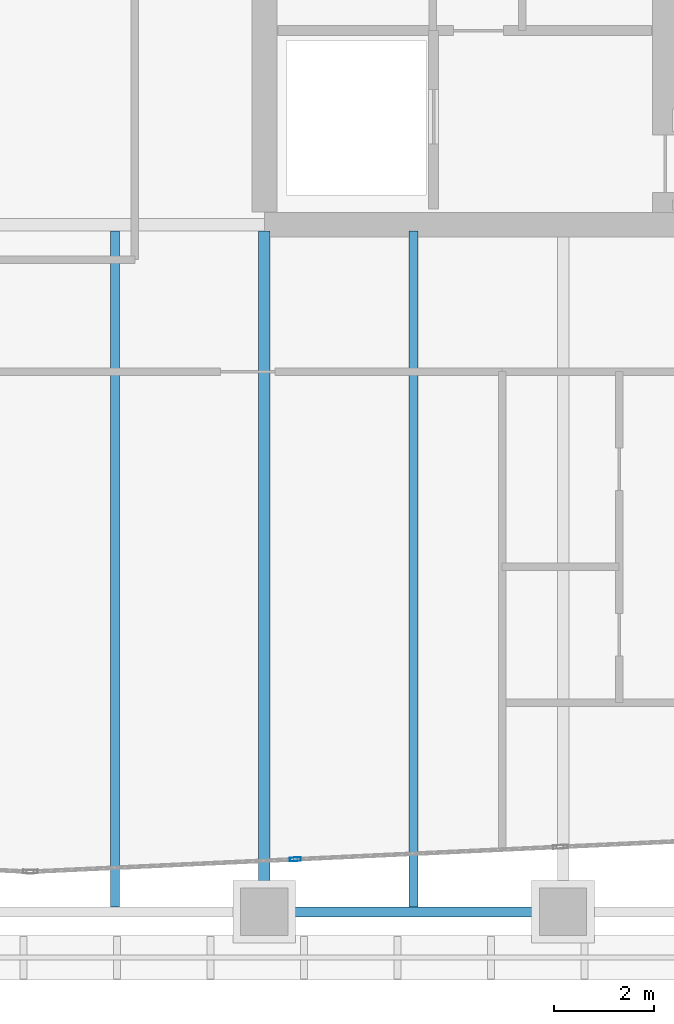
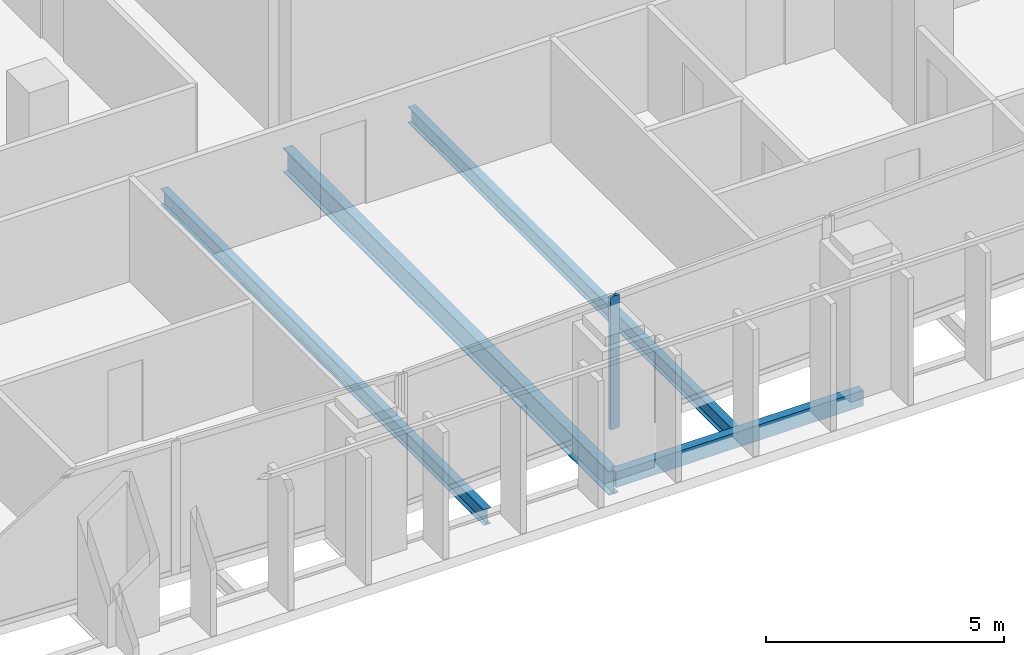
# One storey, part 10 of 39: 4 beams, 1 member, 1 element without a shape of its own.
"""IFC4 building model written with IfcOpenShell, lengths in metres."""

import ifcopenshell
import ifcopenshell.guid

model = None  # the IFC model being written
_history = None  # IfcOwnerHistory: only IFC2X3 demands one
_inside = {}  # id of a spatial element -> (the spatial element, [elements in it])
_under = {}  # id of a project, library or spatial element -> (it, [spatial elements below it])
_declared = {}  # id of a project -> (the project, [libraries it declares])
_typed = {}  # id of a type object -> (the type object, [elements of that type])
_made_of = {}  # id of a material, layer set ... -> (it, [elements and type objects made of it])


def new_model(schema):
    """Start an empty IFC model of exactly this schema.

    Asked for "IFC4X3", IfcOpenShell would pick the latest addendum, in which some entities
    have other attributes; the version numbers below select the first issue.
    IFC2X3 requires an IfcOwnerHistory on every rooted entity: one is made here for all.
    """
    global model, _history
    if schema == "IFC4X3":
        model = ifcopenshell.file(schema_version=(4, 3, 0, 0))
    else:
        model = ifcopenshell.file(schema=schema)
    _inside.clear()
    _under.clear()
    _declared.clear()
    _typed.clear()
    _made_of.clear()
    _history = None
    if model.schema == "IFC2X3":
        org = make("IfcOrganization", Name="unknown")
        user = make(
            "IfcPersonAndOrganization",
            ThePerson=make("IfcPerson", FamilyName="unknown"),
            TheOrganization=org,
        )
        app = make(
            "IfcApplication",
            ApplicationDeveloper=org,
            Version="unknown",
            ApplicationFullName="unknown",
            ApplicationIdentifier="unknown",
        )
        _history = make(
            "IfcOwnerHistory",
            OwningUser=user,
            OwningApplication=app,
            ChangeAction="ADDED",
            CreationDate=0,
        )
    return model


def make(cls, **values):
    """One entity of the class cls with the attributes given. An attribute that is None is left unset."""
    return model.create_entity(
        cls, **{name: value for name, value in values.items() if value is not None}
    )


def rooted(cls, **values):
    """An entity with a GlobalId (a new one), such as an element, a storey or a relation."""
    return make(cls, GlobalId=ifcopenshell.guid.new(), OwnerHistory=_history, **values)


def si_unit(unit_type, name, prefix=None):
    """IfcSIUnit, for example si_unit("LENGTHUNIT", "METRE", prefix="MILLI")."""
    return make("IfcSIUnit", UnitType=unit_type, Prefix=prefix, Name=name)


def assignment(units):
    """IfcUnitAssignment: the units of a project."""
    return None if units is None else make("IfcUnitAssignment", Units=units)


def point(xyz):
    """IfcCartesianPoint."""
    return None if xyz is None else make("IfcCartesianPoint", Coordinates=xyz)


def direction(xyz):
    """IfcDirection."""
    return None if xyz is None else make("IfcDirection", DirectionRatios=xyz)


def frame(location, z_axis=None, x_axis=None):
    """IfcAxis2Placement3D, a coordinate frame: its origin and axes. An axis left out is left unset."""
    return make(
        "IfcAxis2Placement3D",
        Location=point(location),
        Axis=direction(z_axis),
        RefDirection=direction(x_axis),
    )


def frame_2d(location, x_axis=None):
    """IfcAxis2Placement2D, a coordinate frame in the plane: its origin and x axis."""
    return make(
        "IfcAxis2Placement2D", Location=point(location), RefDirection=direction(x_axis)
    )


def origin():
    """The frame at (0, 0, 0) with its axes left unset."""
    return frame((0.0, 0.0, 0.0))


def origin_2d():
    """The frame at (0, 0) in the plane with its x axis left unset."""
    return frame_2d((0.0, 0.0))


def place(relative_to, where):
    """IfcLocalPlacement: puts the frame where relative to a parent placement (None: the world)."""
    return make(
        "IfcLocalPlacement", PlacementRelTo=relative_to, RelativePlacement=where
    )


def context(
    kind, dimensions, precision=None, world=None, true_north=None, identifier=None
):
    """IfcGeometricRepresentationContext, for example the 3D "Model" context."""
    return make(
        "IfcGeometricRepresentationContext",
        ContextIdentifier=identifier,
        ContextType=kind,
        CoordinateSpaceDimension=dimensions,
        Precision=precision,
        WorldCoordinateSystem=world,
        TrueNorth=true_north,
    )


def subcontext(parent, identifier, kind, view, scale=None):
    """IfcGeometricRepresentationSubContext, for example "Body" below "Model"."""
    return make(
        "IfcGeometricRepresentationSubContext",
        ContextIdentifier=identifier,
        ContextType=kind,
        ParentContext=parent,
        TargetScale=scale,
        TargetView=view,
    )


def project(units=None, contexts=None):
    """IfcProject with its units and contexts."""
    return rooted(
        "IfcProject",
        Name="project",
        RepresentationContexts=contexts,
        UnitsInContext=assignment(units),
    )


def spatial(cls, under=None, at=None, **own):
    """A site, building, storey or space (cls), placed at a placement, below another one or the project."""
    s = rooted(cls, ObjectPlacement=at, **own)
    if under is not None:
        _under.setdefault(under.id(), (under, []))[1].append(s)
    return s


def profile(cls, at=None, kind="AREA", **sizes):
    """A parametric profile (cls). Its sizes go by their IFC names, for example OverallWidth=200.0."""
    return make(cls, ProfileType=kind, Position=at, **sizes)


def hollow_rectangle(**sizes):
    """IfcRectangleHollowProfileDef."""
    return profile("IfcRectangleHollowProfileDef", **sizes)


def i_section(**sizes):
    """IfcIShapeProfileDef."""
    return profile("IfcIShapeProfileDef", **sizes)


def extrude(swept, where, along, depth):
    """IfcExtrudedAreaSolid: the profile swept, set in the frame where, extruded along a direction by depth."""
    return make(
        "IfcExtrudedAreaSolid",
        SweptArea=swept,
        Position=where,
        ExtrudedDirection=direction(along),
        Depth=depth,
    )


def shape(context_of_items, identifier, shape_type, items):
    """IfcShapeRepresentation: the items that make up one representation, for example the "Body"."""
    return make(
        "IfcShapeRepresentation",
        ContextOfItems=context_of_items,
        RepresentationIdentifier=identifier,
        RepresentationType=shape_type,
        Items=items,
    )


def material(Name=None, Category=None):
    """IfcMaterial."""
    return make("IfcMaterial", Name=Name, Category=Category)


def layer(
    of_material, thickness, ventilated=None, Name=None, Category=None, Priority=None
):
    """IfcMaterialLayer: one layer of a wall or slab, of a material (None: an air gap)."""
    return make(
        "IfcMaterialLayer",
        Material=of_material,
        LayerThickness=thickness,
        IsVentilated=ventilated,
        Name=Name,
        Category=Category,
        Priority=Priority,
    )


def layer_set(layers, Name=None):
    """IfcMaterialLayerSet."""
    return make("IfcMaterialLayerSet", MaterialLayers=layers, LayerSetName=Name)


def material_profile(
    of_material, cross_section, Name=None, Category=None, Priority=None
):
    """IfcMaterialProfile: a cross section and its material."""
    return make(
        "IfcMaterialProfile",
        Name=Name,
        Material=of_material,
        Profile=cross_section,
        Priority=Priority,
        Category=Category,
    )


def profile_set(profiles, Name=None, composite=None):
    """IfcMaterialProfileSet."""
    return make(
        "IfcMaterialProfileSet",
        Name=Name,
        MaterialProfiles=profiles,
        CompositeProfile=composite,
    )


def made_of(thing, what):
    """Note that an element or type object is made of a material, layer set ...; save() writes the relation."""
    if what is not None:
        _made_of.setdefault(what.id(), (what, []))[1].append(thing)
    return thing


def type_object(cls, material=None, **own):
    """A type object (cls), such as IfcWallType, which elements share."""
    return made_of(rooted(cls, **own), material)


def element(
    cls,
    number,
    at=None,
    inside=None,
    cuts=None,
    type_object=None,
    material=None,
    context=None,
    identifier="Body",
    shape_type=None,
    held_by="IfcProductDefinitionShape",
    body=None,
    shapes=None,
    **own,
):
    """One element of the class cls, such as IfcWall. Its Tag is "e" and its number.

    at: its placement. inside: the storey or other place that contains it. cuts: it is an
    opening in that element (IfcRelVoidsElement). A single representation is given by context,
    identifier, shape_type and body (its items); several are given by shapes. held_by: the class
    of the entity that holds the representations. save() writes the other relations.
    """
    e = rooted(cls, Tag="e%d" % number, ObjectPlacement=at, **own)
    if body is not None:
        shapes = [shape(context, identifier, shape_type, body)]
    if shapes is not None:
        e.Representation = make(held_by, Representations=shapes)
    if inside is not None:
        _inside.setdefault(inside.id(), (inside, []))[1].append(e)
    if cuts is not None:
        rooted(
            "IfcRelVoidsElement", RelatingBuildingElement=cuts, RelatedOpeningElement=e
        )
    if type_object is not None:
        _typed.setdefault(type_object.id(), (type_object, []))[1].append(e)
    return made_of(e, material)


def aggregate(whole, parts):
    """IfcRelAggregates: a whole, such as a stair, and the parts it consists of."""
    return rooted("IfcRelAggregates", RelatingObject=whole, RelatedObjects=parts)


def save(model, path):
    """Write the relations noted so far, then the file.

    IfcRelAggregates (storeys below a building ...), IfcRelContainedInSpatialStructure (elements
    in a storey), IfcRelDefinesByType, IfcRelAssociatesMaterial and IfcRelDeclares: one each for
    every whole, place, type object, material and project.
    """
    for whole, parts in _under.values():
        aggregate(whole, parts)
    for where, things in _inside.values():
        rooted(
            "IfcRelContainedInSpatialStructure",
            RelatedElements=things,
            RelatingStructure=where,
        )
    for kind, things in _typed.values():
        rooted("IfcRelDefinesByType", RelatedObjects=things, RelatingType=kind)
    for what, things in _made_of.values():
        rooted("IfcRelAssociatesMaterial", RelatedObjects=things, RelatingMaterial=what)
    for by, libraries in _declared.values():
        rooted("IfcRelDeclares", RelatingContext=by, RelatedDefinitions=libraries)
    model.write(path)


model = new_model("IFC4")

# Units and contexts
model_context = context("Model", 3, precision=1e-05, world=origin(), true_north=direction((0.0, 1.0)))
body_context = subcontext(model_context, "Body", "Model", "MODEL_VIEW")
ifc_project = project(units=[si_unit("LENGTHUNIT", "METRE"), si_unit("AREAUNIT", "SQUARE_METRE"), si_unit("VOLUMEUNIT", "CUBIC_METRE"), si_unit("PLANEANGLEUNIT", "RADIAN"), si_unit("MASSUNIT", "GRAM", prefix="KILO")], contexts=[model_context])

# Site, building, storey
site_placement = place(None, origin())
site = spatial("IfcSite", under=ifc_project, at=site_placement, CompositionType="ELEMENT")
building_placement = place(site_placement, origin())
building = spatial("IfcBuilding", under=site, at=building_placement, Name="Tanjung Sevakor Pilgrim Tower", CompositionType="ELEMENT")
storey_placement = place(building_placement, frame((0.0, 0.0, 112.199951171875)))
storey = spatial("IfcBuildingStorey", under=building, at=storey_placement, Name="L31", CompositionType="ELEMENT", Elevation=112.199951171875)

# Beams
ifc_material_1 = material(Name="Steel S355J2", Category="steel")
ifc_material_profile_1 = material_profile(ifc_material_1, i_section(OverallWidth=0.230224609375, OverallDepth=0.6171875, WebThickness=0.01318359375, FlangeThickness=0.022216796875, FilletRadius=0.0126953125, at=origin_2d()))
ifc_profile_set_1 = profile_set([ifc_material_profile_1], Name="Steel S355J2")
beam_type_1 = type_object("IfcBeamType", Name="BM-B-G3-UB_610x229x140", PredefinedType="BEAM", material=ifc_profile_set_1)
beam_1_placement = place(storey_placement, frame((78.0, 10.800048828125, -0.528564453125), z_axis=(0.0, 1.0, 0.0), x_axis=(-1.0, 0.0, 0.0)))
element("IfcBeam", 1, at=beam_1_placement, inside=storey, type_object=beam_type_1, Name="L31 MAIN Girder 037", PredefinedType="BEAM", context=body_context, shape_type="SweptSolid", body=[
    extrude(i_section(OverallWidth=0.230224609375, OverallDepth=0.6171875, WebThickness=0.01318359375, FlangeThickness=0.022216796875, FilletRadius=0.0126953125, at=origin_2d()), origin(), (0.0, 0.0, 1.0), 13.672607421875),
])
ifc_material_2 = material(Name="Steel S355J2", Category="steel")
ifc_material_profile_2 = material_profile(ifc_material_2, i_section(OverallWidth=0.1787109375, OverallDepth=0.409423828125, WebThickness=0.0087890625, FlangeThickness=0.014404296875, FilletRadius=0.01025390625, at=origin_2d()))
ifc_profile_set_2 = profile_set([ifc_material_profile_2], Name="Steel S355J2")
beam_type_2 = type_object("IfcBeamType", Name="BM-B-J3-UB_406x178x67", PredefinedType="JOIST", material=ifc_profile_set_2)
for number, where, z_axis, x_axis, name in (
    (2, (75.0, 10.89990234375, -0.424560546875), (0.0, 1.0, 0.0), (-1.0, 0.0, 0.0), "L31 MAIN Joist 035"),
    (3, (81.0, 10.89990234375, -0.424560546875), (0.0, 1.0, 0.0), (-1.0, 0.0, 0.0), "L31 MAIN Joist 039"),
):
    element("IfcBeam", number, at=place(storey_placement, frame(where, z_axis=z_axis, x_axis=x_axis)), inside=storey, type_object=beam_type_2, Name=name, PredefinedType="JOIST", context=body_context, shape_type="SweptSolid", body=[
        extrude(i_section(OverallWidth=0.1787109375, OverallDepth=0.409423828125, WebThickness=0.0087890625, FlangeThickness=0.014404296875, FilletRadius=0.01025390625, at=origin_2d()), origin(), (0.0, 0.0, 1.0), 13.57275390625),
    ])
ifc_material_3 = material(Name="Steel S355J2", Category="steel")
ifc_material_profile_3 = material_profile(ifc_material_3, hollow_rectangle(XDim=0.199951171875, YDim=0.39990234375, WallThickness=0.01611328125, at=origin_2d()))
ifc_profile_set_3 = profile_set([ifc_material_profile_3], Name="Steel S355J2")
beam_type_3 = type_object("IfcBeamType", Name="BM-B-SP2-RHS_400x200x16", PredefinedType="SPANDREL", material=ifc_profile_set_3)
beam_2_placement = place(storey_placement, frame((78.0, 10.800048828125, -0.419921875), z_axis=(1.0, 0.0, 0.0), x_axis=(0.0, 1.0, 0.0)))
element("IfcBeam", 4, at=beam_2_placement, inside=storey, type_object=beam_type_3, Name="L31 Spandrel MAIN S-15", PredefinedType="SPANDREL", context=body_context, shape_type="SweptSolid", body=[
    extrude(hollow_rectangle(XDim=0.199951171875, YDim=0.39990234375, WallThickness=0.01611328125, at=origin_2d()), origin(), (0.0, 0.0, 1.0), 6.0),
])

# Curtain wall, member
ifc_material_4 = material(Name="Aluminium 6063-T6 and Low-E Glass", Category="aluminium")
ifc_layer = layer(ifc_material_4, 0.199951171875)
ifc_layer_set = layer_set([ifc_layer], Name="CW-SYS-PRAY")
curtain_wall_type = type_object("IfcCurtainWallType", Name="CW-SYS-PRAY", PredefinedType="NOTDEFINED", material=ifc_layer_set)
curtain_wall_placement = place(storey_placement, origin())
curtain_wall = element("IfcCurtainWall", 5, at=curtain_wall_placement, inside=storey, type_object=curtain_wall_type, Name="L31 Curtain Wall CW-PRY-L31-11", PredefinedType="NOTDEFINED")
ifc_material_5 = material(Name="Aluminium 6063-T6", Category="aluminium")
ifc_material_profile_4 = material_profile(ifc_material_5, hollow_rectangle(XDim=0.074951171875, YDim=0.219970703125, WallThickness=0.0048828125, at=origin_2d()))
ifc_profile_set_4 = profile_set([ifc_material_profile_4], Name="Aluminium 6063-T6")
member_type = type_object("IfcMemberType", Name="TYPE-CWM-2", PredefinedType="MULLION", material=ifc_profile_set_4)
member_placement = place(storey_placement, frame((78.6220703125, 11.85498046875, 0.0), z_axis=(0.0, 0.0, 1.0), x_axis=(-0.046903911367, 0.998899405896, 0.0)))
member = element("IfcMember", 6, at=member_placement, type_object=member_type, Name="CW-PRY mullion 2", PredefinedType="MULLION", context=body_context, shape_type="SweptSolid", body=[
    extrude(hollow_rectangle(XDim=0.074951171875, YDim=0.219970703125, WallThickness=0.0048828125, at=origin_2d()), origin(), (0.0, 0.0, 1.0), 3.41015625),
])
aggregate(curtain_wall, [member])

save(model, "model.ifc")
